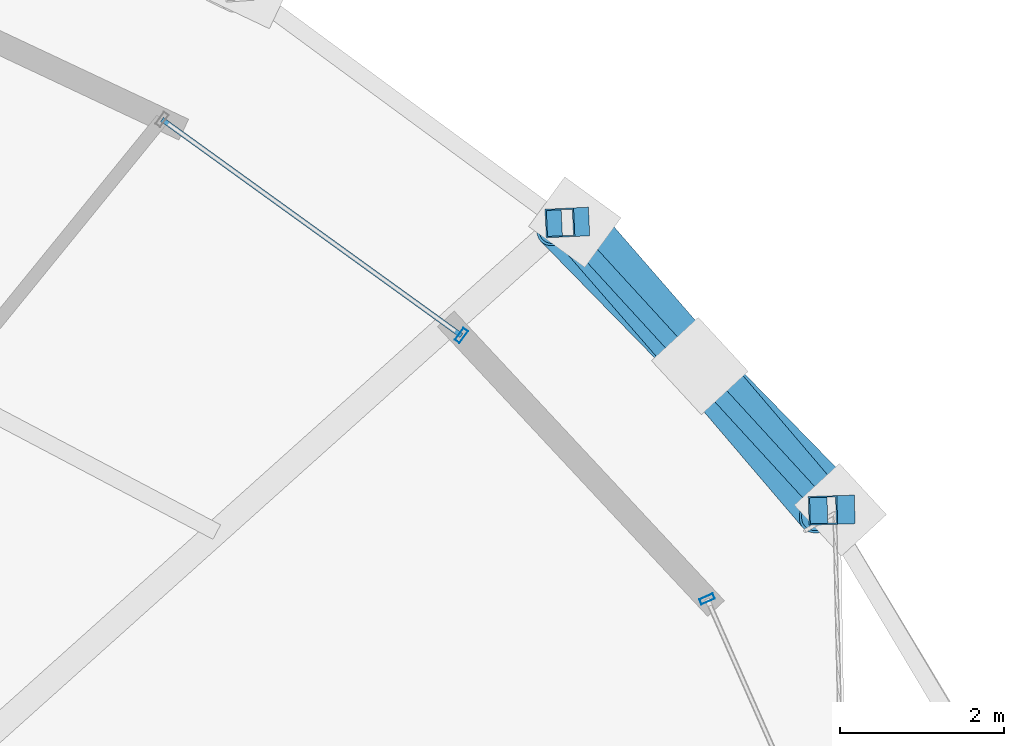
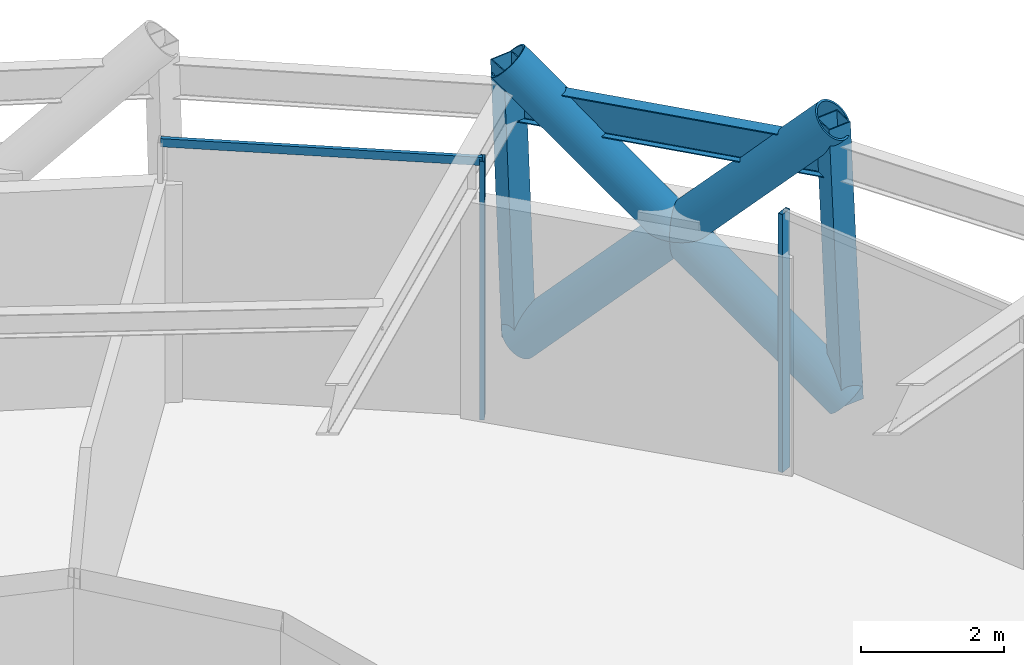
# One storey, part 21 of 29: 8 members, 1 beam, 2 elements without a shape of their own.
"""IFC4 building model written with IfcOpenShell, lengths in metres."""

from ifc_helpers import new_model, si_unit, direction, frame, origin, origin_2d, place, context, subcontext, project, spatial, hollow_rectangle, hollow_circle, i_section, extrude, material, layer, layer_set, material_profile, profile_set, type_object, element, aggregate, save


model = new_model("IFC4")

# Units and contexts
model_context = context("Model", 3, precision=1e-05, world=origin(), true_north=direction((0.0, 1.0)))
body_context = subcontext(model_context, "Body", "Model", "MODEL_VIEW")
ifc_project = project(units=[si_unit("LENGTHUNIT", "METRE"), si_unit("AREAUNIT", "SQUARE_METRE"), si_unit("VOLUMEUNIT", "CUBIC_METRE"), si_unit("PLANEANGLEUNIT", "RADIAN"), si_unit("MASSUNIT", "GRAM", prefix="KILO")], contexts=[model_context])

# Site, building, storey
site_placement = place(None, origin())
site = spatial("IfcSite", under=ifc_project, at=site_placement, CompositionType="ELEMENT")
building_placement = place(site_placement, origin())
building = spatial("IfcBuilding", under=site, at=building_placement, Name="Veldorina Hangang Commons", CompositionType="ELEMENT")
storey_placement = place(building_placement, frame((0.0, 0.0, 203.60009765625)))
storey = spatial("IfcBuildingStorey", under=building, at=storey_placement, Name="L53", CompositionType="ELEMENT", Elevation=203.60009765625)

# Beam
ifc_material_1 = material(Name="Steel SM420-TMC", Category="steel")
ifc_material_profile_1 = material_profile(ifc_material_1, i_section(OverallWidth=0.199951171875, OverallDepth=0.60009765625, WebThickness=0.010986328125, FlangeThickness=0.01708984375, FilletRadius=0.01806640625, at=origin_2d()), Name="H-600x200x11x17")
ifc_profile_set_1 = profile_set([ifc_material_profile_1], Name="Steel SM420-TMC")
beam_type = type_object("IfcBeamType", Name="BM-RB600", PredefinedType="BEAM", material=ifc_profile_set_1)
beam_placement = place(storey_placement, frame((53.522216796875, 36.885009765625, 4.139892578125), z_axis=(-0.675436950643, 0.737417741654, 0.0), x_axis=(-0.737417741654, -0.675436950643, 0.0)))
element("IfcBeam", 1, at=beam_placement, inside=storey, type_object=beam_type, Name="L53 perimeter hoop ring beam 03", PredefinedType="BEAM", context=body_context, shape_type="SweptSolid", body=[
    extrude(i_section(OverallWidth=0.199951171875, OverallDepth=0.60009765625, WebThickness=0.010986328125, FlangeThickness=0.01708984375, FilletRadius=0.01806640625, at=origin_2d()), origin(), (0.0, 0.0, 1.0), 4.76611328125),
])

# Curtain wall, member
ifc_material_2 = material(Name="Glass Acoustic Laminated", Category="glass")
ifc_layer = layer(ifc_material_2, 0.179931640625)
ifc_layer_set = layer_set([ifc_layer], Name="Glass Acoustic Laminated")
curtain_wall_type = type_object("IfcCurtainWallType", Name="CW-SYS-SKY", PredefinedType="NOTDEFINED", material=ifc_layer_set)
curtain_wall_1_placement = place(storey_placement, origin())
curtain_wall_1 = element("IfcCurtainWall", 2, at=curtain_wall_1_placement, inside=storey, type_object=curtain_wall_type, Name="L53 unitised curtain wall CW-L53-R1", PredefinedType="NOTDEFINED")
ifc_material_3 = material(Name="Aluminium Anodized AA6063-T6", Category="aluminium")
ifc_material_profile_2 = material_profile(ifc_material_3, hollow_rectangle(XDim=0.070068359375, YDim=0.179931640625, WallThickness=0.00390625, at=origin_2d()), Name="ALU-RHS-180x70x4")
ifc_profile_set_2 = profile_set([ifc_material_profile_2], Name="Aluminium Anodized AA6063-T6")
member_type_1 = type_object("IfcMemberType", Name="CW-MUL-180", PredefinedType="MULLION", material=ifc_profile_set_2)
member_1_placement = place(storey_placement, frame((49.073974609375, 39.02099609375, 0.0), z_axis=(0.0, 0.0, 1.0), x_axis=(-0.810767641427, 0.58536811633, 0.0)))
member_1 = element("IfcMember", 3, at=member_1_placement, type_object=member_type_1, Name="CW-L53-R1 vertical mullion 1", PredefinedType="MULLION", context=body_context, shape_type="SweptSolid", body=[
    extrude(hollow_rectangle(XDim=0.070068359375, YDim=0.179931640625, WallThickness=0.00390625, at=origin_2d()), origin(), (0.0, 0.0, 1.0), 4.39990234375),
])

curtain_wall_2_placement = place(storey_placement, origin())
curtain_wall_2 = element("IfcCurtainWall", 4, at=curtain_wall_2_placement, inside=storey, type_object=curtain_wall_type, Name="L53 unitised curtain wall CW-L53-R12", PredefinedType="NOTDEFINED")
member_2_placement = place(storey_placement, frame((52.07666015625, 35.802001953125, 0.0), z_axis=(0.0, 0.0, 1.0), x_axis=(0.403465449522, -0.914994880336, 0.0)))
member_2 = element("IfcMember", 5, at=member_2_placement, type_object=member_type_1, Name="CW-L53-R12 vertical mullion 4", PredefinedType="MULLION", context=body_context, shape_type="SweptSolid", body=[
    extrude(hollow_rectangle(XDim=0.070068359375, YDim=0.179931640625, WallThickness=0.00390625, at=origin_2d()), origin(), (0.0, 0.0, 1.0), 4.39990234375),
])
aggregate(curtain_wall_2, [member_2])

# Member
ifc_material_profile_3 = material_profile(ifc_material_3, hollow_rectangle(XDim=0.06005859375, YDim=0.139892578125, WallThickness=0.00341796875, at=origin_2d()), Name="ALU-RHS-140x60x3.5")
ifc_profile_set_3 = profile_set([ifc_material_profile_3], Name="Aluminium Anodized AA6063-T6")
member_type_2 = type_object("IfcMemberType", Name="CW-TRN-140", PredefinedType="USERDEFINED", material=ifc_profile_set_3)
member_3_placement = place(storey_placement, frame((49.073974609375, 39.02099609375, 4.35986328125), z_axis=(-0.81077336268, 0.585360191991, 0.0), x_axis=(-0.585360191991, -0.81077336268, 0.0)))
member_3 = element("IfcMember", 6, at=member_3_placement, type_object=member_type_2, Name="CW-L53-R1 facet 1 transom 1", ObjectType="TRANSOM", PredefinedType="USERDEFINED", context=body_context, shape_type="SweptSolid", body=[
    extrude(hollow_rectangle(XDim=0.06005859375, YDim=0.139892578125, WallThickness=0.00341796875, at=origin_2d()), origin(), (0.0, 0.0, 1.0), 4.51318359375),
])

aggregate(curtain_wall_1, [member_1, member_3])

# Members
ifc_material_4 = material(Name="Steel SM460-TMC", Category="steel")
ifc_material_profile_4 = material_profile(ifc_material_4, hollow_circle(Radius=0.324951171875, WallThickness=0.031982421875, at=origin_2d()), Name="CHS-650x32")
ifc_profile_set_4 = profile_set([ifc_material_profile_4], Name="Steel SM460-TMC")
member_type_3 = type_object("IfcMemberType", Name="DG-CHS650", PredefinedType="BRACE", material=ifc_profile_set_4)
member_4_placement = place(storey_placement, frame((53.706298828125, 36.890869140625, 0.0), z_axis=(-0.499559041775, 0.511121261442, 0.699425349757), x_axis=(-0.715149312798, -0.698971716455, 0.0)))
element("IfcMember", 7, at=member_4_placement, inside=storey, type_object=member_type_3, Name="L53 continuous perimeter diagrid brace 03", PredefinedType="BRACE", context=body_context, shape_type="SweptSolid", body=[
    extrude(hollow_circle(Radius=0.324951171875, WallThickness=0.031982421875, at=origin_2d()), origin(), (0.0, 0.0, 1.0), 6.862548828125),
])
member_5_placement = place(storey_placement, frame((50.459716796875, 40.406982421875, 0.0), z_axis=(0.456383500374, -0.524986834855, 0.71840303717), x_axis=(0.754695766307, 0.656074919745, 0.0)))
element("IfcMember", 8, at=member_5_placement, inside=storey, type_object=member_type_3, Name="L53 split perimeter diagrid lower brace 04", PredefinedType="BRACE", context=body_context, shape_type="SweptSolid", body=[
    extrude(hollow_circle(Radius=0.324951171875, WallThickness=0.031982421875, at=origin_2d()), origin(), (0.0, 0.0, 1.0), 3.348876953125),
])
member_6_placement = place(storey_placement, frame((51.988037109375, 38.64892578125, 2.40576171875), z_axis=(0.451485424929, -0.529418665054, 0.718245632196), x_axis=(0.760888982527, 0.648882081945, 0.0)))
element("IfcMember", 9, at=member_6_placement, inside=storey, type_object=member_type_3, Name="L53 split perimeter diagrid upper brace 04", PredefinedType="BRACE", context=body_context, shape_type="SweptSolid", body=[
    extrude(hollow_circle(Radius=0.324951171875, WallThickness=0.031982421875, at=origin_2d()), origin(), (0.0, 0.0, 1.0), 3.333251953125),
])
ifc_material_5 = material(Name="Steel SM355-TMC", Category="steel")
ifc_material_profile_5 = material_profile(ifc_material_5, hollow_rectangle(XDim=0.35009765625, YDim=0.35009765625, WallThickness=0.01611328125, at=origin_2d()), Name="SHS-350x350x16")
ifc_profile_set_5 = profile_set([ifc_material_profile_5], Name="Steel SM355-TMC")
member_type_4 = type_object("IfcMemberType", Name="STR-SHS350", PredefinedType="STRUT", material=ifc_profile_set_5)
member_7_placement = place(storey_placement, frame((53.706298828125, 36.890869140625, 0.0), z_axis=(-0.044411841671, -0.001371990532, 0.99901236527), x_axis=(0.030877718053, -0.99952316958, 0.0)))
element("IfcMember", 10, at=member_7_placement, inside=storey, type_object=member_type_4, Name="L53 perimeter ring node post 03", PredefinedType="STRUT", context=body_context, shape_type="SweptSolid", body=[
    extrude(hollow_rectangle(XDim=0.35009765625, YDim=0.35009765625, WallThickness=0.01611328125, at=origin_2d()), origin(), (0.0, 0.0, 1.0), 4.804443359375),
])
member_8_placement = place(storey_placement, frame((50.459716796875, 40.406982421875, 0.0), z_axis=(-0.03781620789, -0.001778988274, 0.999283127858), x_axis=(0.046991042846, -0.998895310777, 0.0)))
element("IfcMember", 11, at=member_8_placement, inside=storey, type_object=member_type_4, Name="L53 perimeter ring node post 04", PredefinedType="STRUT", context=body_context, shape_type="SweptSolid", body=[
    extrude(hollow_rectangle(XDim=0.35009765625, YDim=0.35009765625, WallThickness=0.01611328125, at=origin_2d()), origin(), (0.0, 0.0, 1.0), 4.80322265625),
])

save(model, "model.ifc")
